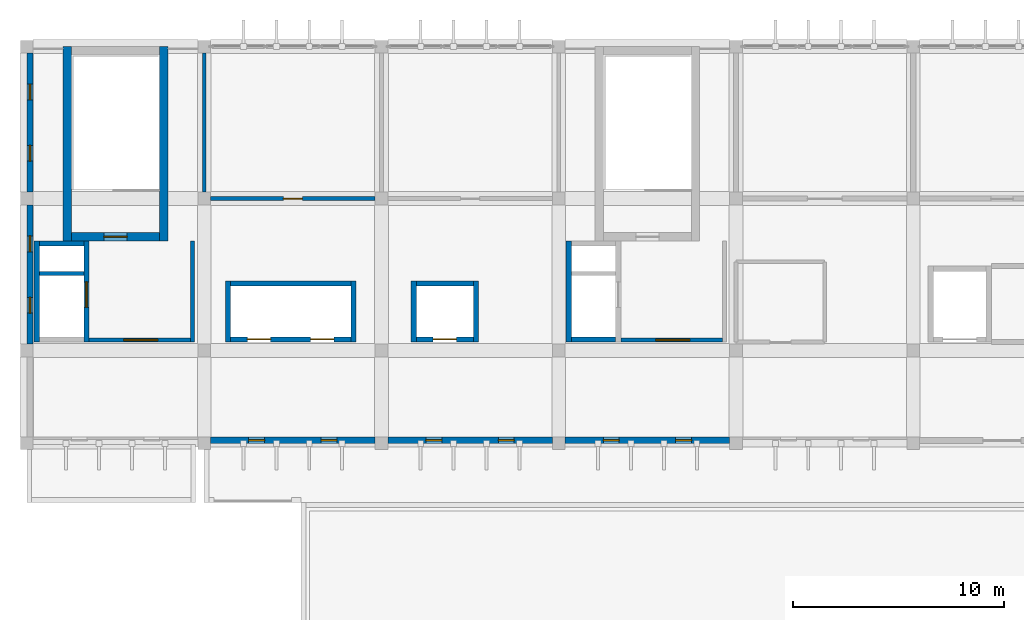
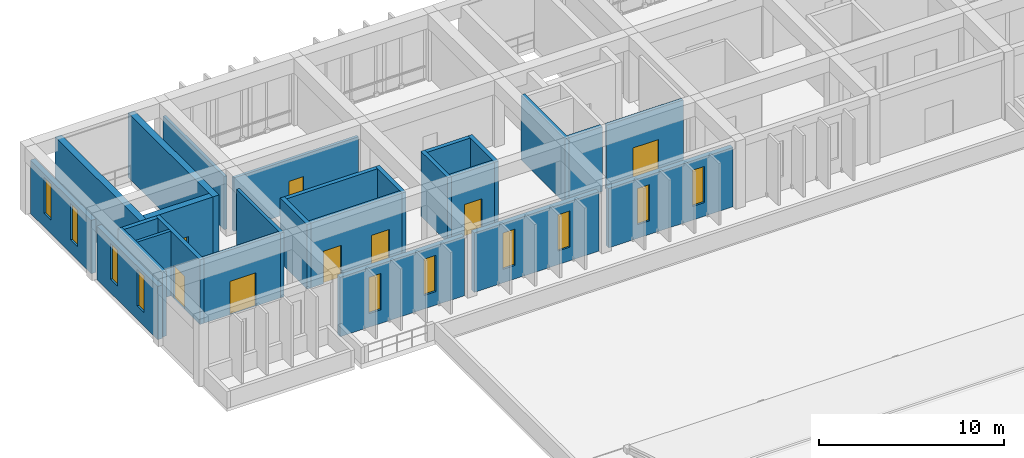
# One storey, part 12 of 16: 27 walls, 10 windows, 8 doors, 18 openings.
"""IFC4 building model written with IfcOpenShell, lengths in metres."""

from ifc_helpers import new_model, si_unit, direction, frame, frame_2d, origin, place, context, subcontext, project, spatial, rectangle, extrude, material, layer, layer_set, type_object, element, fill, save


model = new_model("IFC4")

# Units and contexts
model_context = context("Model", 3, precision=1e-05, world=origin(), true_north=direction((0.0, 1.0)))
body_context = subcontext(model_context, "Body", "Model", "MODEL_VIEW")
ifc_project = project(units=[si_unit("LENGTHUNIT", "METRE"), si_unit("AREAUNIT", "SQUARE_METRE"), si_unit("VOLUMEUNIT", "CUBIC_METRE"), si_unit("PLANEANGLEUNIT", "RADIAN"), si_unit("MASSUNIT", "GRAM", prefix="KILO")], contexts=[model_context])

# Site, building, storey
site_placement = place(None, origin())
site = spatial("IfcSite", under=ifc_project, at=site_placement, CompositionType="ELEMENT")
building_placement = place(site_placement, origin())
building = spatial("IfcBuilding", under=site, at=building_placement, Name="Kenerak Square Central Library", CompositionType="ELEMENT")
storey_placement = place(building_placement, frame((0.0, 0.0, 27.840087890625)))
storey = spatial("IfcBuildingStorey", under=building, at=storey_placement, Name="L06", CompositionType="ELEMENT", Elevation=27.840087890625)

# Wall, openings, windows
ifc_material_1 = material(Name="Concrete C40/50", Category="concrete")
ifc_layer_1 = layer(ifc_material_1, 0.300048828125)
ifc_layer_set_1 = layer_set([ifc_layer_1], Name="Concrete C40/50")
wall_type_1 = type_object("IfcWallType", Name="Board-Marked Brutalist Facade Wall EW-300 C40/50", PredefinedType="SOLIDWALL", material=ifc_layer_set_1)
wall_1_placement = place(storey_placement, frame((91.699951171875, 91.75, 0.0), z_axis=(0.0, 0.0, 1.0), x_axis=(-1.0, 0.0, 0.0)))
wall_1 = element("IfcWall", 1, at=wall_1_placement, inside=storey, type_object=wall_type_1, Name="Exterior Facade Wall L06 0261", PredefinedType="SOLIDWALL", context=body_context, shape_type="SweptSolid", body=[
    extrude(rectangle(XDim=7.800048828125, YDim=0.300048828125, at=frame_2d((3.89990234375, 0.0))), origin(), (0.0, 0.0, 1.0), 3.929931640625),
])
opening_1_placement = place(wall_1_placement, frame((1.80908203125, 0.0, 0.89990234375)))
opening_1 = element("IfcOpeningElement", 2, at=opening_1_placement, cuts=wall_1, Name="Opening W-02", PredefinedType="OPENING", context=body_context, shape_type="SweptSolid", body=[
    extrude(rectangle(XDim=0.75, YDim=2.39990234375, at=frame_2d((0.375, 1.199951171875))), frame((0.0, 0.159912109375, 0.0), z_axis=(0.0, -1.0, 0.0), x_axis=(1.0, 0.0, 0.0)), (0.0, 0.0, 1.0), 0.320068359375),
])
opening_2_placement = place(wall_1_placement, frame((5.240966796875, 0.0, 0.89990234375)))
opening_2 = element("IfcOpeningElement", 3, at=opening_2_placement, cuts=wall_1, Name="Opening W-02", PredefinedType="OPENING", context=body_context, shape_type="SweptSolid", body=[
    extrude(rectangle(XDim=0.75, YDim=2.39990234375, at=frame_2d((0.375, 1.199951171875))), frame((0.0, 0.159912109375, 0.0), z_axis=(0.0, -1.0, 0.0), x_axis=(1.0, 0.0, 0.0)), (0.0, 0.0, 1.0), 0.320068359375),
])
ifc_material_2 = material(Name="Solar-control low-E laminated double glazing", Category="glass")
window_type = type_object("IfcWindowType", Name="Archive Narrow Slot Window W-02 750x2400", PartitioningType="SINGLE_PANEL", PredefinedType="WINDOW", material=ifc_material_2)
window_1_placement = place(opening_1_placement, origin())
window_1 = element("IfcWindow", 4, at=window_1_placement, inside=storey, type_object=window_type, Name="Window W-02 L06 0294", OverallHeight=2.39990234375, OverallWidth=0.75, PartitioningType="SINGLE_PANEL", PredefinedType="WINDOW", context=body_context, shape_type="SweptSolid", body=[
    extrude(rectangle(XDim=0.75, YDim=2.39990234375, at=frame_2d((0.375, 1.199951171875))), frame((0.0, 0.030029296875, 0.0), z_axis=(0.0, -1.0, 0.0), x_axis=(1.0, 0.0, 0.0)), (0.0, 0.0, 1.0), 0.06005859375),
])
fill(opening_1, window_1)
window_2_placement = place(opening_2_placement, origin())
window_2 = element("IfcWindow", 5, at=window_2_placement, inside=storey, type_object=window_type, Name="Window W-02 L06 0295", OverallHeight=2.39990234375, OverallWidth=0.75, PartitioningType="SINGLE_PANEL", PredefinedType="WINDOW", context=body_context, shape_type="SweptSolid", body=[
    extrude(rectangle(XDim=0.75, YDim=2.39990234375, at=frame_2d((0.375, 1.199951171875))), frame((0.0, 0.030029296875, 0.0), z_axis=(0.0, -1.0, 0.0), x_axis=(1.0, 0.0, 0.0)), (0.0, 0.0, 1.0), 0.06005859375),
])
fill(opening_2, window_2)

wall_2_placement = place(storey_placement, frame((83.300048828125, 91.75, 0.0), z_axis=(0.0, 0.0, 1.0), x_axis=(-1.0, 0.0, 0.0)))
wall_2 = element("IfcWall", 6, at=wall_2_placement, inside=storey, type_object=wall_type_1, Name="Exterior Facade Wall L06 0262", PredefinedType="SOLIDWALL", context=body_context, shape_type="SweptSolid", body=[
    extrude(rectangle(XDim=7.800048828125, YDim=0.300048828125, at=frame_2d((3.89990234375, 0.0))), origin(), (0.0, 0.0, 1.0), 3.929931640625),
])
opening_3_placement = place(wall_2_placement, frame((1.80908203125, 0.0, 0.89990234375)))
opening_3 = element("IfcOpeningElement", 7, at=opening_3_placement, cuts=wall_2, Name="Opening W-02", PredefinedType="OPENING", context=body_context, shape_type="SweptSolid", body=[
    extrude(rectangle(XDim=0.75, YDim=2.39990234375, at=frame_2d((0.375, 1.199951171875))), frame((0.0, 0.159912109375, 0.0), z_axis=(0.0, -1.0, 0.0), x_axis=(1.0, 0.0, 0.0)), (0.0, 0.0, 1.0), 0.320068359375),
])
opening_4_placement = place(wall_2_placement, frame((5.240966796875, 0.0, 0.89990234375)))
opening_4 = element("IfcOpeningElement", 8, at=opening_4_placement, cuts=wall_2, Name="Opening W-02", PredefinedType="OPENING", context=body_context, shape_type="SweptSolid", body=[
    extrude(rectangle(XDim=0.75, YDim=2.39990234375, at=frame_2d((0.375, 1.199951171875))), frame((0.0, 0.159912109375, 0.0), z_axis=(0.0, -1.0, 0.0), x_axis=(1.0, 0.0, 0.0)), (0.0, 0.0, 1.0), 0.320068359375),
])
window_3_placement = place(opening_3_placement, origin())
window_3 = element("IfcWindow", 9, at=window_3_placement, inside=storey, type_object=window_type, Name="Window W-02 L06 0296", OverallHeight=2.39990234375, OverallWidth=0.75, PartitioningType="SINGLE_PANEL", PredefinedType="WINDOW", context=body_context, shape_type="SweptSolid", body=[
    extrude(rectangle(XDim=0.75, YDim=2.39990234375, at=frame_2d((0.375, 1.199951171875))), frame((0.0, 0.030029296875, 0.0), z_axis=(0.0, -1.0, 0.0), x_axis=(1.0, 0.0, 0.0)), (0.0, 0.0, 1.0), 0.06005859375),
])
fill(opening_3, window_3)
window_4_placement = place(opening_4_placement, origin())
window_4 = element("IfcWindow", 10, at=window_4_placement, inside=storey, type_object=window_type, Name="Window W-02 L06 0297", OverallHeight=2.39990234375, OverallWidth=0.75, PartitioningType="SINGLE_PANEL", PredefinedType="WINDOW", context=body_context, shape_type="SweptSolid", body=[
    extrude(rectangle(XDim=0.75, YDim=2.39990234375, at=frame_2d((0.375, 1.199951171875))), frame((0.0, 0.030029296875, 0.0), z_axis=(0.0, -1.0, 0.0), x_axis=(1.0, 0.0, 0.0)), (0.0, 0.0, 1.0), 0.06005859375),
])
fill(opening_4, window_4)

wall_3_placement = place(storey_placement, frame((74.89990234375, 91.75, 0.0), z_axis=(0.0, 0.0, 1.0), x_axis=(-1.0, 0.0, 0.0)))
wall_3 = element("IfcWall", 11, at=wall_3_placement, inside=storey, type_object=wall_type_1, Name="Exterior Facade Wall L06 0263", PredefinedType="SOLIDWALL", context=body_context, shape_type="SweptSolid", body=[
    extrude(rectangle(XDim=7.7998046875, YDim=0.300048828125, at=frame_2d((3.89990234375, 0.0))), origin(), (0.0, 0.0, 1.0), 3.929931640625),
])
opening_5_placement = place(wall_3_placement, frame((1.80908203125, 0.0, 0.89990234375)))
opening_5 = element("IfcOpeningElement", 12, at=opening_5_placement, cuts=wall_3, Name="Opening W-02", PredefinedType="OPENING", context=body_context, shape_type="SweptSolid", body=[
    extrude(rectangle(XDim=0.75, YDim=2.39990234375, at=frame_2d((0.375, 1.199951171875))), frame((0.0, 0.159912109375, 0.0), z_axis=(0.0, -1.0, 0.0), x_axis=(1.0, 0.0, 0.0)), (0.0, 0.0, 1.0), 0.320068359375),
])
opening_6_placement = place(wall_3_placement, frame((5.240966796875, 0.0, 0.89990234375)))
opening_6 = element("IfcOpeningElement", 13, at=opening_6_placement, cuts=wall_3, Name="Opening W-02", PredefinedType="OPENING", context=body_context, shape_type="SweptSolid", body=[
    extrude(rectangle(XDim=0.75, YDim=2.39990234375, at=frame_2d((0.375, 1.199951171875))), frame((0.0, 0.159912109375, 0.0), z_axis=(0.0, -1.0, 0.0), x_axis=(1.0, 0.0, 0.0)), (0.0, 0.0, 1.0), 0.320068359375),
])
window_5_placement = place(opening_5_placement, origin())
window_5 = element("IfcWindow", 14, at=window_5_placement, inside=storey, type_object=window_type, Name="Window W-02 L06 0298", OverallHeight=2.39990234375, OverallWidth=0.75, PartitioningType="SINGLE_PANEL", PredefinedType="WINDOW", context=body_context, shape_type="SweptSolid", body=[
    extrude(rectangle(XDim=0.75, YDim=2.39990234375, at=frame_2d((0.375, 1.199951171875))), frame((0.0, 0.030029296875, 0.0), z_axis=(0.0, -1.0, 0.0), x_axis=(1.0, 0.0, 0.0)), (0.0, 0.0, 1.0), 0.06005859375),
])
fill(opening_5, window_5)
window_6_placement = place(opening_6_placement, origin())
window_6 = element("IfcWindow", 15, at=window_6_placement, inside=storey, type_object=window_type, Name="Window W-02 L06 0299", OverallHeight=2.39990234375, OverallWidth=0.75, PartitioningType="SINGLE_PANEL", PredefinedType="WINDOW", context=body_context, shape_type="SweptSolid", body=[
    extrude(rectangle(XDim=0.75, YDim=2.39990234375, at=frame_2d((0.375, 1.199951171875))), frame((0.0, 0.030029296875, 0.0), z_axis=(0.0, -1.0, 0.0), x_axis=(1.0, 0.0, 0.0)), (0.0, 0.0, 1.0), 0.06005859375),
])
fill(opening_6, window_6)

wall_4_placement = place(storey_placement, frame((58.550048828125, 96.300048828125, 0.0), z_axis=(0.0, 0.0, 1.0), x_axis=(0.0, 1.0, 0.0)))
wall_4 = element("IfcWall", 16, at=wall_4_placement, inside=storey, type_object=wall_type_1, Name="Exterior Facade Wall L06 0266", PredefinedType="SOLIDWALL", context=body_context, shape_type="SweptSolid", body=[
    extrude(rectangle(XDim=6.599853515625, YDim=0.300048828125, at=frame_2d((3.2998046875, 0.0))), origin(), (0.0, 0.0, 1.0), 3.530029296875),
])
opening_7_placement = place(wall_4_placement, frame((1.472900390625, 0.0, 0.89990234375)))
opening_7 = element("IfcOpeningElement", 17, at=opening_7_placement, cuts=wall_4, Name="Opening W-02", PredefinedType="OPENING", context=body_context, shape_type="SweptSolid", body=[
    extrude(rectangle(XDim=0.75, YDim=2.39990234375, at=frame_2d((0.375, 1.199951171875))), frame((0.0, 0.159912109375, 0.0), z_axis=(0.0, -1.0, 0.0), x_axis=(1.0, 0.0, 0.0)), (0.0, 0.0, 1.0), 0.320068359375),
])
opening_8_placement = place(wall_4_placement, frame((4.376953125, 0.0, 0.89990234375)))
opening_8 = element("IfcOpeningElement", 18, at=opening_8_placement, cuts=wall_4, Name="Opening W-02", PredefinedType="OPENING", context=body_context, shape_type="SweptSolid", body=[
    extrude(rectangle(XDim=0.75, YDim=2.39990234375, at=frame_2d((0.375, 1.199951171875))), frame((0.0, 0.159912109375, 0.0), z_axis=(0.0, -1.0, 0.0), x_axis=(1.0, 0.0, 0.0)), (0.0, 0.0, 1.0), 0.320068359375),
])
window_7_placement = place(opening_7_placement, origin())
window_7 = element("IfcWindow", 19, at=window_7_placement, inside=storey, type_object=window_type, Name="Window W-02 L06 0302", OverallHeight=2.39990234375, OverallWidth=0.75, PartitioningType="SINGLE_PANEL", PredefinedType="WINDOW", context=body_context, shape_type="SweptSolid", body=[
    extrude(rectangle(XDim=0.75, YDim=2.39990234375, at=frame_2d((0.375, 1.199951171875))), frame((0.0, 0.030029296875, 0.0), z_axis=(0.0, -1.0, 0.0), x_axis=(1.0, 0.0, 0.0)), (0.0, 0.0, 1.0), 0.06005859375),
])
fill(opening_7, window_7)
window_8_placement = place(opening_8_placement, origin())
window_8 = element("IfcWindow", 20, at=window_8_placement, inside=storey, type_object=window_type, Name="Window W-02 L06 0303", OverallHeight=2.39990234375, OverallWidth=0.75, PartitioningType="SINGLE_PANEL", PredefinedType="WINDOW", context=body_context, shape_type="SweptSolid", body=[
    extrude(rectangle(XDim=0.75, YDim=2.39990234375, at=frame_2d((0.375, 1.199951171875))), frame((0.0, 0.030029296875, 0.0), z_axis=(0.0, -1.0, 0.0), x_axis=(1.0, 0.0, 0.0)), (0.0, 0.0, 1.0), 0.06005859375),
])
fill(opening_8, window_8)

wall_5_placement = place(storey_placement, frame((58.550048828125, 103.5, 0.0), z_axis=(0.0, 0.0, 1.0), x_axis=(0.0, 1.0, 0.0)))
wall_5 = element("IfcWall", 21, at=wall_5_placement, inside=storey, type_object=wall_type_1, Name="Exterior Facade Wall L06 0267", PredefinedType="SOLIDWALL", context=body_context, shape_type="SweptSolid", body=[
    extrude(rectangle(XDim=6.60009765625, YDim=0.300048828125, at=frame_2d((3.300048828125, 0.0))), origin(), (0.0, 0.0, 1.0), 3.530029296875),
])
opening_9_placement = place(wall_5_placement, frame((1.472900390625, 0.0, 0.89990234375)))
opening_9 = element("IfcOpeningElement", 22, at=opening_9_placement, cuts=wall_5, Name="Opening W-02", PredefinedType="OPENING", context=body_context, shape_type="SweptSolid", body=[
    extrude(rectangle(XDim=0.75, YDim=2.39990234375, at=frame_2d((0.375, 1.199951171875))), frame((0.0, 0.159912109375, 0.0), z_axis=(0.0, -1.0, 0.0), x_axis=(1.0, 0.0, 0.0)), (0.0, 0.0, 1.0), 0.320068359375),
])
opening_10_placement = place(wall_5_placement, frame((4.376953125, 0.0, 0.89990234375)))
opening_10 = element("IfcOpeningElement", 23, at=opening_10_placement, cuts=wall_5, Name="Opening W-02", PredefinedType="OPENING", context=body_context, shape_type="SweptSolid", body=[
    extrude(rectangle(XDim=0.75, YDim=2.39990234375, at=frame_2d((0.375, 1.199951171875))), frame((0.0, 0.159912109375, 0.0), z_axis=(0.0, -1.0, 0.0), x_axis=(1.0, 0.0, 0.0)), (0.0, 0.0, 1.0), 0.320068359375),
])
window_9_placement = place(opening_9_placement, origin())
window_9 = element("IfcWindow", 24, at=window_9_placement, inside=storey, type_object=window_type, Name="Window W-02 L06 0304", OverallHeight=2.39990234375, OverallWidth=0.75, PartitioningType="SINGLE_PANEL", PredefinedType="WINDOW", context=body_context, shape_type="SweptSolid", body=[
    extrude(rectangle(XDim=0.75, YDim=2.39990234375, at=frame_2d((0.375, 1.199951171875))), frame((0.0, 0.030029296875, 0.0), z_axis=(0.0, -1.0, 0.0), x_axis=(1.0, 0.0, 0.0)), (0.0, 0.0, 1.0), 0.06005859375),
])
fill(opening_9, window_9)
window_10_placement = place(opening_10_placement, origin())
window_10 = element("IfcWindow", 25, at=window_10_placement, inside=storey, type_object=window_type, Name="Window W-02 L06 0305", OverallHeight=2.39990234375, OverallWidth=0.75, PartitioningType="SINGLE_PANEL", PredefinedType="WINDOW", context=body_context, shape_type="SweptSolid", body=[
    extrude(rectangle(XDim=0.75, YDim=2.39990234375, at=frame_2d((0.375, 1.199951171875))), frame((0.0, 0.030029296875, 0.0), z_axis=(0.0, -1.0, 0.0), x_axis=(1.0, 0.0, 0.0)), (0.0, 0.0, 1.0), 0.06005859375),
])
fill(opening_10, window_10)

# Walls
ifc_layer_2 = layer(ifc_material_1, 0.39990234375)
ifc_layer_set_2 = layer_set([ifc_layer_2], Name="Concrete C40/50")
wall_type_2 = type_object("IfcWallType", Name="Core Shear Wall CW-400 C40/50", PredefinedType="SHEAR", material=ifc_layer_set_2)
for number, where, z_axis, x_axis, name in (
    (26, (60.320068359375, 101.199951171875, 0.0), (0.0, 0.0, 1.0), (0.0, 1.0, 0.0), "Core Wall CW-C1 L06 West"),
    (27, (64.8798828125, 110.39990234375, 0.0), (0.0, 0.0, 1.0), (0.0, -1.0, 0.0), "Core Wall CW-C1 L06 East"),
):
    element("IfcWall", number, at=place(storey_placement, frame(where, z_axis=z_axis, x_axis=x_axis)), inside=storey, type_object=wall_type_2, Name=name, PredefinedType="SHEAR", context=body_context, shape_type="SweptSolid", body=[
        extrude(rectangle(XDim=9.199951171875, YDim=0.39990234375, at=frame_2d((4.60009765625, 0.0))), origin(), (0.0, 0.0, 1.0), 4.280029296875),
    ])

# Wall, opening, door
wall_6_placement = place(storey_placement, frame((64.679931640625, 101.39990234375, 0.0), z_axis=(0.0, 0.0, 1.0), x_axis=(-1.0, 0.0, 0.0)))
wall_6 = element("IfcWall", 28, at=wall_6_placement, inside=storey, type_object=wall_type_2, Name="Core Wall CW-C1 L06 South", PredefinedType="SHEAR", context=body_context, shape_type="SweptSolid", body=[
    extrude(rectangle(XDim=4.159912109375, YDim=0.39990234375, at=frame_2d((2.080078125, 0.0))), origin(), (0.0, 0.0, 1.0), 4.280029296875),
])
opening_11_placement = place(wall_6_placement, frame((1.530029296875, 0.0, 0.0)))
opening_11 = element("IfcOpeningElement", 29, at=opening_11_placement, cuts=wall_6, Name="Opening D-ST1", PredefinedType="OPENING", context=body_context, shape_type="SweptSolid", body=[
    extrude(rectangle(XDim=1.10009765625, YDim=2.199951171875, at=frame_2d((0.550048828125, 1.10009765625))), frame((0.0, 0.2099609375, 0.0), z_axis=(0.0, -1.0, 0.0), x_axis=(1.0, 0.0, 0.0)), (0.0, 0.0, 1.0), 0.419921875),
])
ifc_material_3 = material(Name="Steel S355", Category="steel")
door_type_1 = type_object("IfcDoorType", Name="Protected Stair Fire Door FD-1100x2200 FD60S", OperationType="NOTDEFINED", PredefinedType="DOOR", material=ifc_material_3)
door_1_placement = place(opening_11_placement, frame((1.10009765625, 0.0, 0.0), z_axis=(0.0, 0.0, 1.0), x_axis=(-1.0, 0.0, 0.0)))
door_1 = element("IfcDoor", 30, at=door_1_placement, inside=storey, type_object=door_type_1, Name="Stair Door ST-01 L06", OperationType="SINGLE_SWING_LEFT", OverallHeight=2.199951171875, OverallWidth=1.10009765625, PredefinedType="DOOR", context=body_context, shape_type="SweptSolid", body=[
    extrude(rectangle(XDim=1.10009765625, YDim=2.199951171875, at=frame_2d((0.550048828125, 1.10009765625))), frame((0.0, 0.02490234375, 0.0), z_axis=(0.0, -1.0, 0.0), x_axis=(1.0, 0.0, 0.0)), (0.0, 0.0, 1.0), 0.050048828125),
])
fill(opening_11, door_1)

# Walls
ifc_layer_3 = layer(ifc_material_1, 0.199951171875)
ifc_layer_set_3 = layer_set([ifc_layer_3], Name="Concrete C40/50")
wall_type_3 = type_object("IfcWallType", Name="Lobby Compartment Wall LW-200 C40/50", PredefinedType="SOLIDWALL", material=ifc_layer_set_3)
wall_7_placement = place(storey_placement, frame((59.0, 99.64990234375, 0.0), z_axis=(0.0, 0.0, 1.0), x_axis=(1.0, 0.0, 0.0)))
element("IfcWall", 31, at=wall_7_placement, inside=storey, type_object=wall_type_3, Name="Riser Divider Wall C1 L06", PredefinedType="SOLIDWALL", context=body_context, shape_type="SweptSolid", body=[
    extrude(rectangle(XDim=2.10009765625, YDim=0.199951171875, at=frame_2d((1.050048828125, 0.0))), origin(), (0.0, 0.0, 1.0), 4.280029296875),
])
wall_8_placement = place(storey_placement, frame((66.25, 101.199951171875, 0.0), z_axis=(0.0, 0.0, 1.0), x_axis=(0.0, -1.0, 0.0)))
element("IfcWall", 32, at=wall_8_placement, inside=storey, type_object=wall_type_3, Name="Firefighting Lobby East Wall C1 L06", PredefinedType="SOLIDWALL", context=body_context, shape_type="SweptSolid", body=[
    extrude(rectangle(XDim=4.800048828125, YDim=0.199951171875, at=frame_2d((2.39990234375, 0.0))), origin(), (0.0, 0.0, 1.0), 4.280029296875),
])

# Wall, opening, door
wall_9_placement = place(storey_placement, frame((66.14990234375, 96.5, 0.0), z_axis=(0.0, 0.0, 1.0), x_axis=(-1.0, 0.0, 0.0)))
wall_9 = element("IfcWall", 33, at=wall_9_placement, inside=storey, type_object=wall_type_3, Name="Firefighting Lobby South Wall C1 L06", PredefinedType="SOLIDWALL", context=body_context, shape_type="SweptSolid", body=[
    extrude(rectangle(XDim=4.7998046875, YDim=0.199951171875, at=frame_2d((2.39990234375, 0.0))), origin(), (0.0, 0.0, 1.0), 4.280029296875),
])
opening_12_placement = place(wall_9_placement, frame((1.550048828125, 0.0, 0.0)))
opening_12 = element("IfcOpeningElement", 34, at=opening_12_placement, cuts=wall_9, Name="Opening D-FFL", PredefinedType="OPENING", context=body_context, shape_type="SweptSolid", body=[
    extrude(rectangle(XDim=1.60009765625, YDim=2.199951171875, at=frame_2d((0.800048828125, 1.10009765625))), frame((0.0, 0.10986328125, 0.0), z_axis=(0.0, -1.0, 0.0), x_axis=(1.0, 0.0, 0.0)), (0.0, 0.0, 1.0), 0.219970703125),
])
door_type_2 = type_object("IfcDoorType", Name="Firefighting Lobby Double Door FD-1600x2200 FD60S", OperationType="NOTDEFINED", PredefinedType="DOOR", material=ifc_material_3)
door_2_placement = place(opening_12_placement, frame((1.60009765625, 0.0, 0.0), z_axis=(0.0, 0.0, 1.0), x_axis=(-1.0, 0.0, 0.0)))
door_2 = element("IfcDoor", 35, at=door_2_placement, inside=storey, type_object=door_type_2, Name="Firefighting Lobby Door C1 L06", OperationType="DOUBLE_DOOR_SINGLE_SWING", OverallHeight=2.199951171875, OverallWidth=1.60009765625, PredefinedType="DOOR", context=body_context, shape_type="SweptSolid", body=[
    extrude(rectangle(XDim=1.60009765625, YDim=2.199951171875, at=frame_2d((0.800048828125, 1.10009765625))), frame((0.0, 0.02490234375, 0.0), z_axis=(0.0, -1.0, 0.0), x_axis=(1.0, 0.0, 0.0)), (0.0, 0.0, 1.0), 0.050048828125),
])
fill(opening_12, door_2)

wall_10_placement = place(storey_placement, frame((91.35009765625, 96.5, 0.0), z_axis=(0.0, 0.0, 1.0), x_axis=(-1.0, 0.0, 0.0)))
wall_10 = element("IfcWall", 36, at=wall_10_placement, inside=storey, type_object=wall_type_3, Name="Firefighting Lobby South Wall C2 L06", PredefinedType="SOLIDWALL", context=body_context, shape_type="SweptSolid", body=[
    extrude(rectangle(XDim=4.800048828125, YDim=0.199951171875, at=frame_2d((2.39990234375, 0.0))), origin(), (0.0, 0.0, 1.0), 4.280029296875),
])
opening_13_placement = place(wall_10_placement, frame((1.550048828125, 0.0, 0.0)))
opening_13 = element("IfcOpeningElement", 37, at=opening_13_placement, cuts=wall_10, Name="Opening D-FFL", PredefinedType="OPENING", context=body_context, shape_type="SweptSolid", body=[
    extrude(rectangle(XDim=1.60009765625, YDim=2.199951171875, at=frame_2d((0.800048828125, 1.10009765625))), frame((0.0, 0.10986328125, 0.0), z_axis=(0.0, -1.0, 0.0), x_axis=(1.0, 0.0, 0.0)), (0.0, 0.0, 1.0), 0.219970703125),
])
door_3_placement = place(opening_13_placement, frame((1.60009765625, 0.0, 0.0), z_axis=(0.0, 0.0, 1.0), x_axis=(-1.0, 0.0, 0.0)))
door_3 = element("IfcDoor", 38, at=door_3_placement, inside=storey, type_object=door_type_2, Name="Firefighting Lobby Door C2 L06", OperationType="DOUBLE_DOOR_SINGLE_SWING", OverallHeight=2.199951171875, OverallWidth=1.60009765625, PredefinedType="DOOR", context=body_context, shape_type="SweptSolid", body=[
    extrude(rectangle(XDim=1.60009765625, YDim=2.199951171875, at=frame_2d((0.800048828125, 1.10009765625))), frame((0.0, 0.02490234375, 0.0), z_axis=(0.0, -1.0, 0.0), x_axis=(1.0, 0.0, 0.0)), (0.0, 0.0, 1.0), 0.050048828125),
])
fill(opening_13, door_3)

ifc_material_4 = material(Name="Precast concrete C40/50", Category="concrete")
ifc_layer_4 = layer(ifc_material_4, 0.175048828125)
ifc_layer_set_4 = layer_set([ifc_layer_4], Name="Precast concrete C40/50")
wall_type_4 = type_object("IfcWallType", Name="Sanitary Plumbing Chase Wall IW-175 C40/50", PredefinedType="PLUMBINGWALL", material=ifc_layer_set_4)
wall_11_placement = place(storey_placement, frame((74.89990234375, 103.199951171875, 0.0), z_axis=(0.0, 0.0, 1.0), x_axis=(-1.0, 0.0, 0.0)))
wall_11 = element("IfcWall", 39, at=wall_11_placement, inside=storey, type_object=wall_type_4, Name="Interior Wall IW-L06-06-S1-B1", PredefinedType="PLUMBINGWALL", context=body_context, shape_type="SweptSolid", body=[
    extrude(rectangle(XDim=7.7998046875, YDim=0.175048828125, at=frame_2d((3.89990234375, 0.0))), origin(), (0.0, 0.0, 1.0), 3.530029296875),
])
opening_14_placement = place(wall_11_placement, frame((3.449951171875, 0.0, 0.0)))
opening_14 = element("IfcOpeningElement", 40, at=opening_14_placement, cuts=wall_11, Name="Opening ID-01", PredefinedType="OPENING", context=body_context, shape_type="SweptSolid", body=[
    extrude(rectangle(XDim=0.89990234375, YDim=2.10009765625, at=frame_2d((0.449951171875, 1.050048828125))), frame((0.0, 0.097412109375, 0.0), z_axis=(0.0, -1.0, 0.0), x_axis=(1.0, 0.0, 0.0)), (0.0, 0.0, 1.0), 0.195068359375),
])
ifc_material_5 = material(Name="Chengal hardwood timber SG1", Category="wood")
door_type_3 = type_object("IfcDoorType", Name="Restroom Single Door ID-900x2100", OperationType="NOTDEFINED", PredefinedType="DOOR", material=ifc_material_5)
door_4_placement = place(opening_14_placement, origin())
door_4 = element("IfcDoor", 41, at=door_4_placement, inside=storey, type_object=door_type_3, Name="Level 06 Male Restroom Door", OperationType="SINGLE_SWING_LEFT", OverallHeight=2.10009765625, OverallWidth=0.89990234375, PredefinedType="DOOR", context=body_context, shape_type="SweptSolid", body=[
    extrude(rectangle(XDim=0.89990234375, YDim=2.10009765625, at=frame_2d((0.449951171875, 1.050048828125))), frame((0.0, 0.02490234375, 0.0), z_axis=(0.0, -1.0, 0.0), x_axis=(1.0, 0.0, 0.0)), (0.0, 0.0, 1.0), 0.050048828125),
])
fill(opening_14, door_4)

# Walls
wall_12_placement = place(storey_placement, frame((66.800048828125, 103.5, 0.0), z_axis=(0.0, 0.0, 1.0), x_axis=(0.0, 1.0, 0.0)))
element("IfcWall", 42, at=wall_12_placement, inside=storey, type_object=wall_type_4, Name="Interior Wall IW-L06-06-W3-B1", PredefinedType="PLUMBINGWALL", context=body_context, shape_type="SweptSolid", body=[
    extrude(rectangle(XDim=6.60009765625, YDim=0.175048828125, at=frame_2d((3.300048828125, 0.0))), origin(), (0.0, 0.0, 1.0), 3.530029296875),
])
ifc_layer_5 = layer(ifc_material_1, 0.25)
ifc_layer_set_5 = layer_set([ifc_layer_5], Name="Concrete C40/50")
wall_type_5 = type_object("IfcWallType", Name="Shaft Enclosure Wall SW-250 C40/50", PredefinedType="SOLIDWALL", material=ifc_layer_set_5)
wall_13_placement = place(storey_placement, frame((58.875, 96.39990234375, 0.0), z_axis=(0.0, 0.0, 1.0), x_axis=(0.0, 1.0, 0.0)))
element("IfcWall", 43, at=wall_13_placement, inside=storey, type_object=wall_type_5, Name="Core Wall FLW-C1 L06 West", PredefinedType="SOLIDWALL", context=body_context, shape_type="SweptSolid", body=[
    extrude(rectangle(XDim=4.800048828125, YDim=0.25, at=frame_2d((2.39990234375, 0.0))), origin(), (0.0, 0.0, 1.0), 4.280029296875),
])

# Wall, opening, door
wall_14_placement = place(storey_placement, frame((61.22509765625, 101.199951171875, 0.0), z_axis=(0.0, 0.0, 1.0), x_axis=(0.0, -1.0, 0.0)))
wall_14 = element("IfcWall", 44, at=wall_14_placement, inside=storey, type_object=wall_type_5, Name="Core Wall FLW-C1 L06 East", PredefinedType="SOLIDWALL", context=body_context, shape_type="SweptSolid", body=[
    extrude(rectangle(XDim=4.800048828125, YDim=0.25, at=frame_2d((2.39990234375, 0.0))), origin(), (0.0, 0.0, 1.0), 4.280029296875),
])
opening_15_placement = place(wall_14_placement, frame((1.949951171875, 0.0, 0.0)))
opening_15 = element("IfcOpeningElement", 45, at=opening_15_placement, cuts=wall_14, Name="Opening LD-FL", PredefinedType="OPENING", context=body_context, shape_type="SweptSolid", body=[
    extrude(rectangle(XDim=1.199951171875, YDim=2.199951171875, at=frame_2d((0.60009765625, 1.10009765625))), frame((0.0, 0.135009765625, 0.0), z_axis=(0.0, -1.0, 0.0), x_axis=(1.0, 0.0, 0.0)), (0.0, 0.0, 1.0), 0.27001953125),
])
door_type_4 = type_object("IfcDoorType", Name="Firefighting Lift Sliding Landing Door LD-1200x2200 FD120S", OperationType="NOTDEFINED", PredefinedType="DOOR", material=ifc_material_3)
door_5_placement = place(opening_15_placement, origin())
door_5 = element("IfcDoor", 46, at=door_5_placement, inside=storey, type_object=door_type_4, Name="Firefighting Lift Landing Door FL-01 L06", OperationType="SLIDING_TO_LEFT", OverallHeight=2.199951171875, OverallWidth=1.199951171875, PredefinedType="DOOR", context=body_context, shape_type="SweptSolid", body=[
    extrude(rectangle(XDim=1.199951171875, YDim=2.199951171875, at=frame_2d((0.60009765625, 1.10009765625))), frame((0.0, 0.02490234375, 0.0), z_axis=(0.0, -1.0, 0.0), x_axis=(1.0, 0.0, 0.0)), (0.0, 0.0, 1.0), 0.050048828125),
])
fill(opening_15, door_5)

# Walls
wall_15_placement = place(storey_placement, frame((59.0, 101.074951171875, 0.0), z_axis=(0.0, 0.0, 1.0), x_axis=(1.0, 0.0, 0.0)))
element("IfcWall", 47, at=wall_15_placement, inside=storey, type_object=wall_type_5, Name="Core Wall FLW-C1 L06 North", PredefinedType="SOLIDWALL", context=body_context, shape_type="SweptSolid", body=[
    extrude(rectangle(XDim=2.10009765625, YDim=0.25, at=frame_2d((1.050048828125, 0.0))), origin(), (0.0, 0.0, 1.0), 4.280029296875),
])
wall_16_placement = place(storey_placement, frame((84.074951171875, 96.39990234375, 0.0), z_axis=(0.0, 0.0, 1.0), x_axis=(0.0, 1.0, 0.0)))
element("IfcWall", 48, at=wall_16_placement, inside=storey, type_object=wall_type_5, Name="Core Wall FLW-C2 L06 West", PredefinedType="SOLIDWALL", context=body_context, shape_type="SweptSolid", body=[
    extrude(rectangle(XDim=4.800048828125, YDim=0.25, at=frame_2d((2.39990234375, 0.0))), origin(), (0.0, 0.0, 1.0), 4.280029296875),
])
wall_17_placement = place(storey_placement, frame((86.300048828125, 96.52490234375, 0.0), z_axis=(0.0, 0.0, 1.0), x_axis=(-1.0, 0.0, 0.0)))
element("IfcWall", 49, at=wall_17_placement, inside=storey, type_object=wall_type_5, Name="Core Wall FLW-C2 L06 South", PredefinedType="SOLIDWALL", context=body_context, shape_type="SweptSolid", body=[
    extrude(rectangle(XDim=2.10009765625, YDim=0.25, at=frame_2d((1.050048828125, 0.0))), origin(), (0.0, 0.0, 1.0), 4.280029296875),
])
for number, where, z_axis, x_axis, name in (
    (50, (67.925048828125, 96.39990234375, 0.0), (0.0, 0.0, 1.0), (0.0, 1.0, 0.0), "Core Wall PLBANKW L06 West"),
    (51, (73.875, 99.300048828125, 0.0), (0.0, 0.0, 1.0), (0.0, -1.0, 0.0), "Core Wall PLBANKW L06 East"),
):
    element("IfcWall", number, at=place(storey_placement, frame(where, z_axis=z_axis, x_axis=x_axis)), inside=storey, type_object=wall_type_5, Name=name, PredefinedType="SOLIDWALL", context=body_context, shape_type="SweptSolid", body=[
        extrude(rectangle(XDim=2.900146484375, YDim=0.25, at=frame_2d((1.4501953125, 0.0))), origin(), (0.0, 0.0, 1.0), 4.280029296875),
    ])

# Wall, openings, doors
wall_18_placement = place(storey_placement, frame((73.75, 96.52490234375, 0.0), z_axis=(0.0, 0.0, 1.0), x_axis=(-1.0, 0.0, 0.0)))
wall_18 = element("IfcWall", 52, at=wall_18_placement, inside=storey, type_object=wall_type_5, Name="Core Wall PLBANKW L06 South", PredefinedType="SOLIDWALL", context=body_context, shape_type="SweptSolid", body=[
    extrude(rectangle(XDim=5.699951171875, YDim=0.25, at=frame_2d((2.85009765625, 0.0))), origin(), (0.0, 0.0, 1.0), 4.280029296875),
])
opening_16_placement = place(wall_18_placement, frame((3.800048828125, 0.0, 0.0)))
opening_16 = element("IfcOpeningElement", 53, at=opening_16_placement, cuts=wall_18, Name="Opening LD-PL", PredefinedType="OPENING", context=body_context, shape_type="SweptSolid", body=[
    extrude(rectangle(XDim=1.10009765625, YDim=2.14990234375, at=frame_2d((0.550048828125, 1.074951171875))), frame((0.0, 0.135009765625, 0.0), z_axis=(0.0, -1.0, 0.0), x_axis=(1.0, 0.0, 0.0)), (0.0, 0.0, 1.0), 0.27001953125),
])
opening_17_placement = place(wall_18_placement, frame((0.800048828125, 0.0, 0.0)))
opening_17 = element("IfcOpeningElement", 54, at=opening_17_placement, cuts=wall_18, Name="Opening LD-PL", PredefinedType="OPENING", context=body_context, shape_type="SweptSolid", body=[
    extrude(rectangle(XDim=1.10009765625, YDim=2.14990234375, at=frame_2d((0.550048828125, 1.074951171875))), frame((0.0, 0.135009765625, 0.0), z_axis=(0.0, -1.0, 0.0), x_axis=(1.0, 0.0, 0.0)), (0.0, 0.0, 1.0), 0.27001953125),
])
door_type_5 = type_object("IfcDoorType", Name="Passenger Lift Sliding Landing Door LD-1100x2150", OperationType="NOTDEFINED", PredefinedType="DOOR", material=ifc_material_3)
door_6_placement = place(opening_16_placement, origin())
door_6 = element("IfcDoor", 55, at=door_6_placement, inside=storey, type_object=door_type_5, Name="Passenger Lift Landing Door PL-01 L06", OperationType="SLIDING_TO_RIGHT", OverallHeight=2.14990234375, OverallWidth=1.10009765625, PredefinedType="DOOR", context=body_context, shape_type="SweptSolid", body=[
    extrude(rectangle(XDim=1.10009765625, YDim=2.14990234375, at=frame_2d((0.550048828125, 1.074951171875))), frame((0.0, 0.02490234375, 0.0), z_axis=(0.0, -1.0, 0.0), x_axis=(1.0, 0.0, 0.0)), (0.0, 0.0, 1.0), 0.050048828125),
])
fill(opening_16, door_6)
door_7_placement = place(opening_17_placement, origin())
door_7 = element("IfcDoor", 56, at=door_7_placement, inside=storey, type_object=door_type_5, Name="Passenger Lift Landing Door PL-02 L06", OperationType="SLIDING_TO_RIGHT", OverallHeight=2.14990234375, OverallWidth=1.10009765625, PredefinedType="DOOR", context=body_context, shape_type="SweptSolid", body=[
    extrude(rectangle(XDim=1.10009765625, YDim=2.14990234375, at=frame_2d((0.550048828125, 1.074951171875))), frame((0.0, 0.02490234375, 0.0), z_axis=(0.0, -1.0, 0.0), x_axis=(1.0, 0.0, 0.0)), (0.0, 0.0, 1.0), 0.050048828125),
])
fill(opening_17, door_7)

# Walls
wall_19_placement = place(storey_placement, frame((68.050048828125, 99.175048828125, 0.0), z_axis=(0.0, 0.0, 1.0), x_axis=(1.0, 0.0, 0.0)))
element("IfcWall", 57, at=wall_19_placement, inside=storey, type_object=wall_type_5, Name="Core Wall PLBANKW L06 North", PredefinedType="SOLIDWALL", context=body_context, shape_type="SweptSolid", body=[
    extrude(rectangle(XDim=5.699951171875, YDim=0.25, at=frame_2d((2.85009765625, 0.0))), origin(), (0.0, 0.0, 1.0), 4.280029296875),
])
for number, where, z_axis, x_axis, name in (
    (58, (76.72509765625, 96.39990234375, 0.0), (0.0, 0.0, 1.0), (0.0, 1.0, 0.0), "Core Wall PLBANKE L06 West"),
    (59, (79.675048828125, 99.300048828125, 0.0), (0.0, 0.0, 1.0), (0.0, -1.0, 0.0), "Core Wall PLBANKE L06 East"),
):
    element("IfcWall", number, at=place(storey_placement, frame(where, z_axis=z_axis, x_axis=x_axis)), inside=storey, type_object=wall_type_5, Name=name, PredefinedType="SOLIDWALL", context=body_context, shape_type="SweptSolid", body=[
        extrude(rectangle(XDim=2.900146484375, YDim=0.25, at=frame_2d((1.4501953125, 0.0))), origin(), (0.0, 0.0, 1.0), 4.280029296875),
    ])

# Wall, opening, door
wall_20_placement = place(storey_placement, frame((79.550048828125, 96.52490234375, 0.0), z_axis=(0.0, 0.0, 1.0), x_axis=(-1.0, 0.0, 0.0)))
wall_20 = element("IfcWall", 60, at=wall_20_placement, inside=storey, type_object=wall_type_5, Name="Core Wall PLBANKE L06 South", PredefinedType="SOLIDWALL", context=body_context, shape_type="SweptSolid", body=[
    extrude(rectangle(XDim=2.699951171875, YDim=0.25, at=frame_2d((1.35009765625, 0.0))), origin(), (0.0, 0.0, 1.0), 4.280029296875),
])
opening_18_placement = place(wall_20_placement, frame((0.800048828125, 0.0, 0.0)))
opening_18 = element("IfcOpeningElement", 61, at=opening_18_placement, cuts=wall_20, Name="Opening LD-PL", PredefinedType="OPENING", context=body_context, shape_type="SweptSolid", body=[
    extrude(rectangle(XDim=1.10009765625, YDim=2.14990234375, at=frame_2d((0.550048828125, 1.074951171875))), frame((0.0, 0.135009765625, 0.0), z_axis=(0.0, -1.0, 0.0), x_axis=(1.0, 0.0, 0.0)), (0.0, 0.0, 1.0), 0.27001953125),
])
door_8_placement = place(opening_18_placement, origin())
door_8 = element("IfcDoor", 62, at=door_8_placement, inside=storey, type_object=door_type_5, Name="Passenger Lift Landing Door PL-03 L06", OperationType="SLIDING_TO_LEFT", OverallHeight=2.14990234375, OverallWidth=1.10009765625, PredefinedType="DOOR", context=body_context, shape_type="SweptSolid", body=[
    extrude(rectangle(XDim=1.10009765625, YDim=2.14990234375, at=frame_2d((0.550048828125, 1.074951171875))), frame((0.0, 0.02490234375, 0.0), z_axis=(0.0, -1.0, 0.0), x_axis=(1.0, 0.0, 0.0)), (0.0, 0.0, 1.0), 0.050048828125),
])
fill(opening_18, door_8)

# Wall
wall_21_placement = place(storey_placement, frame((76.85009765625, 99.175048828125, 0.0), z_axis=(0.0, 0.0, 1.0), x_axis=(1.0, 0.0, 0.0)))
element("IfcWall", 63, at=wall_21_placement, inside=storey, type_object=wall_type_5, Name="Core Wall PLBANKE L06 North", PredefinedType="SOLIDWALL", context=body_context, shape_type="SweptSolid", body=[
    extrude(rectangle(XDim=2.699951171875, YDim=0.25, at=frame_2d((1.35009765625, 0.0))), origin(), (0.0, 0.0, 1.0), 4.280029296875),
])

save(model, "model.ifc")
